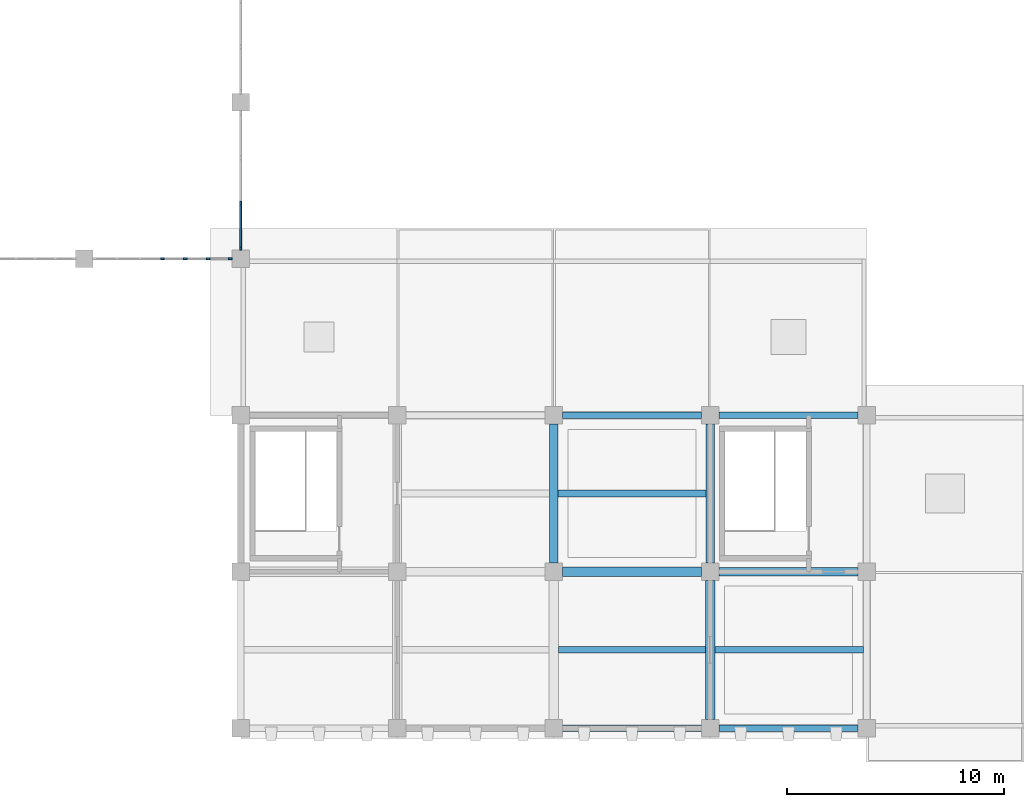
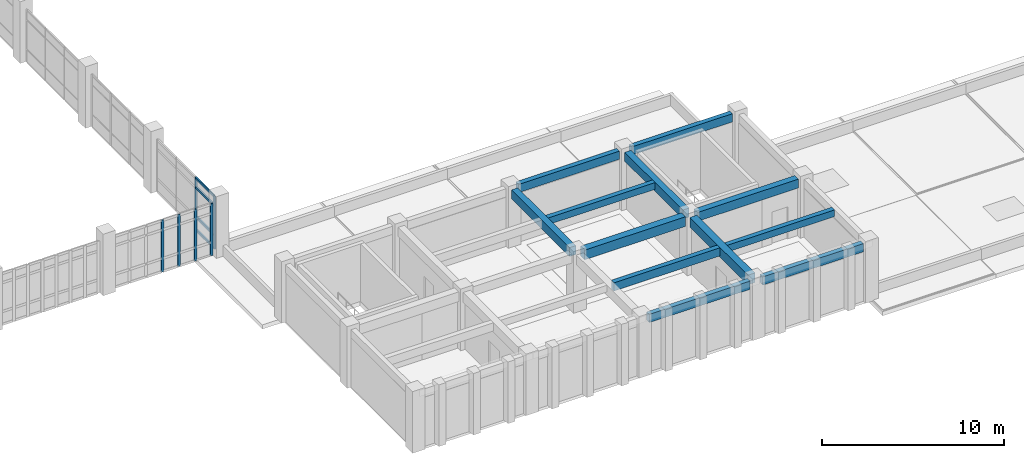
# One storey, part 4 of 62: 12 beams, 10 members, 2 elements without a shape of their own.
"""IFC4 building model written with IfcOpenShell, lengths in metres."""

import ifcopenshell
import ifcopenshell.guid

model = None  # the IFC model being written
_history = None  # IfcOwnerHistory: only IFC2X3 demands one
_inside = {}  # id of a spatial element -> (the spatial element, [elements in it])
_under = {}  # id of a project, library or spatial element -> (it, [spatial elements below it])
_declared = {}  # id of a project -> (the project, [libraries it declares])
_typed = {}  # id of a type object -> (the type object, [elements of that type])
_made_of = {}  # id of a material, layer set ... -> (it, [elements and type objects made of it])


def new_model(schema):
    """Start an empty IFC model of exactly this schema.

    Asked for "IFC4X3", IfcOpenShell would pick the latest addendum, in which some entities
    have other attributes; the version numbers below select the first issue.
    IFC2X3 requires an IfcOwnerHistory on every rooted entity: one is made here for all.
    """
    global model, _history
    if schema == "IFC4X3":
        model = ifcopenshell.file(schema_version=(4, 3, 0, 0))
    else:
        model = ifcopenshell.file(schema=schema)
    _inside.clear()
    _under.clear()
    _declared.clear()
    _typed.clear()
    _made_of.clear()
    _history = None
    if model.schema == "IFC2X3":
        org = make("IfcOrganization", Name="unknown")
        user = make(
            "IfcPersonAndOrganization",
            ThePerson=make("IfcPerson", FamilyName="unknown"),
            TheOrganization=org,
        )
        app = make(
            "IfcApplication",
            ApplicationDeveloper=org,
            Version="unknown",
            ApplicationFullName="unknown",
            ApplicationIdentifier="unknown",
        )
        _history = make(
            "IfcOwnerHistory",
            OwningUser=user,
            OwningApplication=app,
            ChangeAction="ADDED",
            CreationDate=0,
        )
    return model


def make(cls, **values):
    """One entity of the class cls with the attributes given. An attribute that is None is left unset."""
    return model.create_entity(
        cls, **{name: value for name, value in values.items() if value is not None}
    )


def rooted(cls, **values):
    """An entity with a GlobalId (a new one), such as an element, a storey or a relation."""
    return make(cls, GlobalId=ifcopenshell.guid.new(), OwnerHistory=_history, **values)


def si_unit(unit_type, name, prefix=None):
    """IfcSIUnit, for example si_unit("LENGTHUNIT", "METRE", prefix="MILLI")."""
    return make("IfcSIUnit", UnitType=unit_type, Prefix=prefix, Name=name)


def assignment(units):
    """IfcUnitAssignment: the units of a project."""
    return None if units is None else make("IfcUnitAssignment", Units=units)


def point(xyz):
    """IfcCartesianPoint."""
    return None if xyz is None else make("IfcCartesianPoint", Coordinates=xyz)


def direction(xyz):
    """IfcDirection."""
    return None if xyz is None else make("IfcDirection", DirectionRatios=xyz)


def frame(location, z_axis=None, x_axis=None):
    """IfcAxis2Placement3D, a coordinate frame: its origin and axes. An axis left out is left unset."""
    return make(
        "IfcAxis2Placement3D",
        Location=point(location),
        Axis=direction(z_axis),
        RefDirection=direction(x_axis),
    )


def frame_2d(location, x_axis=None):
    """IfcAxis2Placement2D, a coordinate frame in the plane: its origin and x axis."""
    return make(
        "IfcAxis2Placement2D", Location=point(location), RefDirection=direction(x_axis)
    )


def origin():
    """The frame at (0, 0, 0) with its axes left unset."""
    return frame((0.0, 0.0, 0.0))


def origin_2d():
    """The frame at (0, 0) in the plane with its x axis left unset."""
    return frame_2d((0.0, 0.0))


def place(relative_to, where):
    """IfcLocalPlacement: puts the frame where relative to a parent placement (None: the world)."""
    return make(
        "IfcLocalPlacement", PlacementRelTo=relative_to, RelativePlacement=where
    )


def context(
    kind, dimensions, precision=None, world=None, true_north=None, identifier=None
):
    """IfcGeometricRepresentationContext, for example the 3D "Model" context."""
    return make(
        "IfcGeometricRepresentationContext",
        ContextIdentifier=identifier,
        ContextType=kind,
        CoordinateSpaceDimension=dimensions,
        Precision=precision,
        WorldCoordinateSystem=world,
        TrueNorth=true_north,
    )


def subcontext(parent, identifier, kind, view, scale=None):
    """IfcGeometricRepresentationSubContext, for example "Body" below "Model"."""
    return make(
        "IfcGeometricRepresentationSubContext",
        ContextIdentifier=identifier,
        ContextType=kind,
        ParentContext=parent,
        TargetScale=scale,
        TargetView=view,
    )


def project(units=None, contexts=None):
    """IfcProject with its units and contexts."""
    return rooted(
        "IfcProject",
        Name="project",
        RepresentationContexts=contexts,
        UnitsInContext=assignment(units),
    )


def spatial(cls, under=None, at=None, **own):
    """A site, building, storey or space (cls), placed at a placement, below another one or the project."""
    s = rooted(cls, ObjectPlacement=at, **own)
    if under is not None:
        _under.setdefault(under.id(), (under, []))[1].append(s)
    return s


def profile(cls, at=None, kind="AREA", **sizes):
    """A parametric profile (cls). Its sizes go by their IFC names, for example OverallWidth=200.0."""
    return make(cls, ProfileType=kind, Position=at, **sizes)


def rectangle(**sizes):
    """IfcRectangleProfileDef."""
    return profile("IfcRectangleProfileDef", **sizes)


def extrude(swept, where, along, depth):
    """IfcExtrudedAreaSolid: the profile swept, set in the frame where, extruded along a direction by depth."""
    return make(
        "IfcExtrudedAreaSolid",
        SweptArea=swept,
        Position=where,
        ExtrudedDirection=direction(along),
        Depth=depth,
    )


def shape(context_of_items, identifier, shape_type, items):
    """IfcShapeRepresentation: the items that make up one representation, for example the "Body"."""
    return make(
        "IfcShapeRepresentation",
        ContextOfItems=context_of_items,
        RepresentationIdentifier=identifier,
        RepresentationType=shape_type,
        Items=items,
    )


def material(Name=None, Category=None):
    """IfcMaterial."""
    return make("IfcMaterial", Name=Name, Category=Category)


def layer(
    of_material, thickness, ventilated=None, Name=None, Category=None, Priority=None
):
    """IfcMaterialLayer: one layer of a wall or slab, of a material (None: an air gap)."""
    return make(
        "IfcMaterialLayer",
        Material=of_material,
        LayerThickness=thickness,
        IsVentilated=ventilated,
        Name=Name,
        Category=Category,
        Priority=Priority,
    )


def layer_set(layers, Name=None):
    """IfcMaterialLayerSet."""
    return make("IfcMaterialLayerSet", MaterialLayers=layers, LayerSetName=Name)


def material_profile(
    of_material, cross_section, Name=None, Category=None, Priority=None
):
    """IfcMaterialProfile: a cross section and its material."""
    return make(
        "IfcMaterialProfile",
        Name=Name,
        Material=of_material,
        Profile=cross_section,
        Priority=Priority,
        Category=Category,
    )


def profile_set(profiles, Name=None, composite=None):
    """IfcMaterialProfileSet."""
    return make(
        "IfcMaterialProfileSet",
        Name=Name,
        MaterialProfiles=profiles,
        CompositeProfile=composite,
    )


def made_of(thing, what):
    """Note that an element or type object is made of a material, layer set ...; save() writes the relation."""
    if what is not None:
        _made_of.setdefault(what.id(), (what, []))[1].append(thing)
    return thing


def type_object(cls, material=None, **own):
    """A type object (cls), such as IfcWallType, which elements share."""
    return made_of(rooted(cls, **own), material)


def element(
    cls,
    number,
    at=None,
    inside=None,
    cuts=None,
    type_object=None,
    material=None,
    context=None,
    identifier="Body",
    shape_type=None,
    held_by="IfcProductDefinitionShape",
    body=None,
    shapes=None,
    **own,
):
    """One element of the class cls, such as IfcWall. Its Tag is "e" and its number.

    at: its placement. inside: the storey or other place that contains it. cuts: it is an
    opening in that element (IfcRelVoidsElement). A single representation is given by context,
    identifier, shape_type and body (its items); several are given by shapes. held_by: the class
    of the entity that holds the representations. save() writes the other relations.
    """
    e = rooted(cls, Tag="e%d" % number, ObjectPlacement=at, **own)
    if body is not None:
        shapes = [shape(context, identifier, shape_type, body)]
    if shapes is not None:
        e.Representation = make(held_by, Representations=shapes)
    if inside is not None:
        _inside.setdefault(inside.id(), (inside, []))[1].append(e)
    if cuts is not None:
        rooted(
            "IfcRelVoidsElement", RelatingBuildingElement=cuts, RelatedOpeningElement=e
        )
    if type_object is not None:
        _typed.setdefault(type_object.id(), (type_object, []))[1].append(e)
    return made_of(e, material)


def aggregate(whole, parts):
    """IfcRelAggregates: a whole, such as a stair, and the parts it consists of."""
    return rooted("IfcRelAggregates", RelatingObject=whole, RelatedObjects=parts)


def save(model, path):
    """Write the relations noted so far, then the file.

    IfcRelAggregates (storeys below a building ...), IfcRelContainedInSpatialStructure (elements
    in a storey), IfcRelDefinesByType, IfcRelAssociatesMaterial and IfcRelDeclares: one each for
    every whole, place, type object, material and project.
    """
    for whole, parts in _under.values():
        aggregate(whole, parts)
    for where, things in _inside.values():
        rooted(
            "IfcRelContainedInSpatialStructure",
            RelatedElements=things,
            RelatingStructure=where,
        )
    for kind, things in _typed.values():
        rooted("IfcRelDefinesByType", RelatedObjects=things, RelatingType=kind)
    for what, things in _made_of.values():
        rooted("IfcRelAssociatesMaterial", RelatedObjects=things, RelatingMaterial=what)
    for by, libraries in _declared.values():
        rooted("IfcRelDeclares", RelatingContext=by, RelatedDefinitions=libraries)
    model.write(path)


model = new_model("IFC4")

# Units and contexts
model_context = context("Model", 3, precision=1e-05, world=origin(), true_north=direction((0.0, 1.0)))
body_context = subcontext(model_context, "Body", "Model", "MODEL_VIEW")
ifc_project = project(units=[si_unit("LENGTHUNIT", "METRE"), si_unit("AREAUNIT", "SQUARE_METRE"), si_unit("VOLUMEUNIT", "CUBIC_METRE"), si_unit("PLANEANGLEUNIT", "RADIAN"), si_unit("MASSUNIT", "GRAM", prefix="KILO")], contexts=[model_context])

# Site, building, storey
site_placement = place(None, origin())
site = spatial("IfcSite", under=ifc_project, at=site_placement, CompositionType="ELEMENT")
building_placement = place(site_placement, origin())
building = spatial("IfcBuilding", under=site, at=building_placement, Name="Kavelor Marine Aquarium", CompositionType="ELEMENT")
storey_placement = place(building_placement, frame((0.0, 0.0, 13.5)))
storey = spatial("IfcBuildingStorey", under=building, at=storey_placement, Name="L03", CompositionType="ELEMENT", Elevation=13.5)

# Beams
ifc_material_1 = material(Name="Concrete C40/50", Category="concrete")
ifc_material_profile_1 = material_profile(ifc_material_1, rectangle(XDim=0.449951171875, YDim=0.64990234375, at=origin_2d()), Name="RC-BM 450x650")
ifc_profile_set_1 = profile_set([ifc_material_profile_1], Name="Concrete C40/50")
beam_type_1 = type_object("IfcBeamType", Name="BM-B3", PredefinedType="BEAM", material=ifc_profile_set_1)
beam_1_placement = place(storey_placement, frame((54.0, 10.0, 3.534912109375), z_axis=(1.0, 0.0, 0.0), x_axis=(0.0, 1.0, 0.0)))
element("IfcBeam", 1, at=beam_1_placement, inside=storey, type_object=beam_type_1, Name="bm:x:L03:L04:07_01", PredefinedType="BEAM", context=body_context, shape_type="SweptSolid", body=[
    extrude(rectangle(XDim=0.449951171875, YDim=0.64990234375, at=origin_2d()), origin(), (0.0, 0.0, 1.0), 6.39990234375),
])
beam_2_placement = place(storey_placement, frame((60.800048828125, 3.199951171875, 3.534912109375), z_axis=(0.0, 1.0, 0.0), x_axis=(-1.0, 0.0, 0.0)))
element("IfcBeam", 2, at=beam_2_placement, inside=storey, type_object=beam_type_1, Name="bm:y:L03:L04:08_00", PredefinedType="BEAM", context=body_context, shape_type="SweptSolid", body=[
    extrude(rectangle(XDim=0.449951171875, YDim=0.64990234375, at=origin_2d()), origin(), (0.0, 0.0, 1.0), 6.400146484375),
])
ifc_material_2 = material(Name="Concrete C40/50", Category="concrete")
ifc_material_profile_2 = material_profile(ifc_material_2, rectangle(XDim=0.39990234375, YDim=0.60009765625, at=origin_2d()), Name="RC-BM 400x600")
ifc_profile_set_2 = profile_set([ifc_material_profile_2], Name="Concrete C40/50")
beam_type_2 = type_object("IfcBeamType", Name="BM-B4", PredefinedType="BEAM", material=ifc_profile_set_2)
for number, where, z_axis, x_axis, name in (
    (3, (61.199951171875, 10.0, 3.56005859375), (1.0, 0.0, 0.0), (0.0, 1.0, 0.0), "bm:x:L03:L04:08_01"),
    (4, (53.60009765625, 10.39990234375, 3.56005859375), (0.0, 1.0, 0.0), (-1.0, 0.0, 0.0), "bm:y:L03:L04:07_01"),
    (5, (60.800048828125, 10.39990234375, 3.56005859375), (0.0, 1.0, 0.0), (-1.0, 0.0, 0.0), "bm:y:L03:L04:08_01"),
):
    element("IfcBeam", number, at=place(storey_placement, frame(where, z_axis=z_axis, x_axis=x_axis)), inside=storey, type_object=beam_type_2, Name=name, PredefinedType="BEAM", context=body_context, shape_type="SweptSolid", body=[
        extrude(rectangle(XDim=0.39990234375, YDim=0.60009765625, at=origin_2d()), origin(), (0.0, 0.0, 1.0), 6.400146484375),
    ])
ifc_material_3 = material(Name="Concrete C40/50", Category="concrete")
ifc_material_profile_3 = material_profile(ifc_material_3, rectangle(XDim=0.300048828125, YDim=0.449951171875, at=origin_2d()), Name="RC-JS 300x450")
ifc_profile_set_3 = profile_set([ifc_material_profile_3], Name="Concrete C40/50")
beam_type_3 = type_object("IfcBeamType", Name="BM-JS1", PredefinedType="JOIST", material=ifc_profile_set_3)
beam_3_placement = place(storey_placement, frame((53.800048828125, 13.60009765625, 3.635009765625), z_axis=(1.0, 0.0, 0.0), x_axis=(0.0, 1.0, 0.0)))
element("IfcBeam", 6, at=beam_3_placement, inside=storey, type_object=beam_type_3, Name="js:L03:L04:07_01", PredefinedType="JOIST", context=body_context, shape_type="SweptSolid", body=[
    extrude(rectangle(XDim=0.300048828125, YDim=0.449951171875, at=origin_2d()), origin(), (0.0, 0.0, 1.0), 6.800048828125),
])
beam_4_placement = place(storey_placement, frame((61.02490234375, 6.39990234375, 3.635009765625), z_axis=(1.0, 0.0, 0.0), x_axis=(0.0, 1.0, 0.0)))
element("IfcBeam", 7, at=beam_4_placement, inside=storey, type_object=beam_type_3, Name="js:L03:L04:08_00", PredefinedType="JOIST", context=body_context, shape_type="SweptSolid", body=[
    extrude(rectangle(XDim=0.300048828125, YDim=0.449951171875, at=origin_2d()), origin(), (0.0, 0.0, 1.0), 6.8251953125),
])
ifc_material_4 = material(Name="Concrete C40/50", Category="concrete")
ifc_material_profile_4 = material_profile(ifc_material_4, rectangle(XDim=0.300048828125, YDim=0.550048828125, at=origin_2d()), Name="RC-JS 300x550")
ifc_profile_set_4 = profile_set([ifc_material_profile_4], Name="Concrete C40/50")
beam_type_4 = type_object("IfcBeamType", Name="BM-JS2", PredefinedType="JOIST", material=ifc_profile_set_4)
beam_5_placement = place(storey_placement, frame((53.824951171875, 6.39990234375, 3.5849609375), z_axis=(1.0, 0.0, 0.0), x_axis=(0.0, 1.0, 0.0)))
element("IfcBeam", 8, at=beam_5_placement, inside=storey, type_object=beam_type_4, Name="js:L03:L04:07_00", PredefinedType="JOIST", context=body_context, shape_type="SweptSolid", body=[
    extrude(rectangle(XDim=0.300048828125, YDim=0.550048828125, at=origin_2d()), origin(), (0.0, 0.0, 1.0), 6.75),
])
ifc_material_5 = material(Name="Concrete C40/50", Category="concrete")
ifc_material_profile_5 = material_profile(ifc_material_5, rectangle(XDim=0.300048828125, YDim=0.550048828125, at=origin_2d()), Name="RC-SP 300x550")
ifc_profile_set_5 = profile_set([ifc_material_profile_5], Name="Concrete C40/50")
beam_type_5 = type_object("IfcBeamType", Name="BM-SP2", PredefinedType="SPANDREL", material=ifc_profile_set_5)
for number, where, z_axis, x_axis, name in (
    (9, (54.0, 2.800048828125, 3.5849609375), (1.0, 0.0, 0.0), (0.0, 1.0, 0.0), "bm:x:L03:L04:07_00"),
    (10, (54.0, 17.199951171875, 3.5849609375), (1.0, 0.0, 0.0), (0.0, 1.0, 0.0), "bm:x:L03:L04:07_02"),
):
    element("IfcBeam", number, at=place(storey_placement, frame(where, z_axis=z_axis, x_axis=x_axis)), inside=storey, type_object=beam_type_5, Name=name, PredefinedType="SPANDREL", context=body_context, shape_type="SweptSolid", body=[
        extrude(rectangle(XDim=0.300048828125, YDim=0.550048828125, at=origin_2d()), origin(), (0.0, 0.0, 1.0), 6.39990234375),
    ])
for number, where, z_axis, x_axis, name in (
    (11, (61.199951171875, 2.800048828125, 3.5849609375), (1.0, 0.0, 0.0), (0.0, 1.0, 0.0), "bm:x:L03:L04:08_00"),
    (12, (61.199951171875, 17.199951171875, 3.5849609375), (1.0, 0.0, 0.0), (0.0, 1.0, 0.0), "bm:x:L03:L04:08_02"),
):
    element("IfcBeam", number, at=place(storey_placement, frame(where, z_axis=z_axis, x_axis=x_axis)), inside=storey, type_object=beam_type_5, Name=name, PredefinedType="SPANDREL", context=body_context, shape_type="SweptSolid", body=[
        extrude(rectangle(XDim=0.300048828125, YDim=0.550048828125, at=origin_2d()), origin(), (0.0, 0.0, 1.0), 6.400146484375),
    ])

# Curtain wall, members
ifc_material_6 = material(Name="Thermally Broken Aluminium and Low-E Glass", Category="aluminium")
ifc_layer_1 = layer(ifc_material_6, 0.172119140625)
ifc_layer_set_1 = layer_set([ifc_layer_1], Name="CW-SYS4")
curtain_wall_type_1 = type_object("IfcCurtainWallType", Name="CW-SYS4", PredefinedType="USERDEFINED", material=ifc_layer_set_1)
curtain_wall_1_placement = place(storey_placement, origin())
curtain_wall_1 = element("IfcCurtainWall", 13, at=curtain_wall_1_placement, inside=storey, type_object=curtain_wall_type_1, Name="cw:x:L03:04_03", ObjectType="Curtain Wall", PredefinedType="USERDEFINED")
ifc_material_7 = material(Name="Anodised Aluminium Alloy 6063-T6", Category="aluminium")
ifc_material_profile_6 = material_profile(ifc_material_7, rectangle(XDim=0.074951171875, YDim=0.179931640625, at=origin_2d()), Name="CW-MUL 75x180")
ifc_profile_set_6 = profile_set([ifc_material_profile_6], Name="Anodised Aluminium Alloy 6063-T6")
member_type_1 = type_object("IfcMemberType", Name="CWM-1", PredefinedType="MULLION", material=ifc_profile_set_6)
member_1_placement = place(storey_placement, frame((38.717529296875, 24.39990234375, 0.0), z_axis=(0.0, 0.0, 1.0), x_axis=(0.0, -1.0, 0.0)))
member_1 = element("IfcMember", 14, at=member_1_placement, type_object=member_type_1, Name="CW04 mullion 1", PredefinedType="MULLION", context=body_context, shape_type="SweptSolid", body=[
    extrude(rectangle(XDim=0.074951171875, YDim=0.179931640625, at=origin_2d()), origin(), (0.0, 0.0, 1.0), 3.47998046875),
])
member_2_placement = place(storey_placement, frame((37.703369140625, 24.39990234375, 0.0), z_axis=(0.0, 0.0, 1.0), x_axis=(0.0, -1.0, 0.0)))
member_2 = element("IfcMember", 15, at=member_2_placement, type_object=member_type_1, Name="CW04 mullion 2", PredefinedType="MULLION", context=body_context, shape_type="SweptSolid", body=[
    extrude(rectangle(XDim=0.074951171875, YDim=0.179931640625, at=origin_2d()), origin(), (0.0, 0.0, 1.0), 3.47998046875),
])
member_3_placement = place(storey_placement, frame((36.651611328125, 24.39990234375, 0.0), z_axis=(0.0, 0.0, 1.0), x_axis=(0.0, -1.0, 0.0)))
member_3 = element("IfcMember", 16, at=member_3_placement, type_object=member_type_1, Name="CW04 mullion 3", PredefinedType="MULLION", context=body_context, shape_type="SweptSolid", body=[
    extrude(rectangle(XDim=0.074951171875, YDim=0.179931640625, at=origin_2d()), origin(), (0.0, 0.0, 1.0), 3.47998046875),
])
member_4_placement = place(storey_placement, frame((35.60009765625, 24.39990234375, 0.0), z_axis=(0.0, 0.0, 1.0), x_axis=(0.0, -1.0, 0.0)))
member_4 = element("IfcMember", 17, at=member_4_placement, type_object=member_type_1, Name="CW04 mullion 4", PredefinedType="MULLION", context=body_context, shape_type="SweptSolid", body=[
    extrude(rectangle(XDim=0.074951171875, YDim=0.179931640625, at=origin_2d()), origin(), (0.0, 0.0, 1.0), 3.47998046875),
])
aggregate(curtain_wall_1, [member_1, member_2, member_3, member_4])

ifc_material_8 = material(Name="Thermally Broken Aluminium and Low-E Glass", Category="aluminium")
ifc_layer_2 = layer(ifc_material_8, 0.27587890625)
ifc_layer_set_2 = layer_set([ifc_layer_2], Name="CW-SYS17")
curtain_wall_type_2 = type_object("IfcCurtainWallType", Name="CW-SYS17", PredefinedType="USERDEFINED", material=ifc_layer_set_2)
curtain_wall_2_placement = place(storey_placement, origin())
curtain_wall_2 = element("IfcCurtainWall", 18, at=curtain_wall_2_placement, inside=storey, type_object=curtain_wall_type_2, Name="cw:y:L03:05_03", ObjectType="Curtain Wall", PredefinedType="USERDEFINED")
ifc_material_9 = material(Name="Anodised Aluminium Alloy 6063-T6", Category="aluminium")
ifc_material_profile_7 = material_profile(ifc_material_9, rectangle(XDim=0.080078125, YDim=0.18505859375, at=origin_2d()), Name="CW-MUL 80x185")
ifc_profile_set_7 = profile_set([ifc_material_profile_7], Name="Anodised Aluminium Alloy 6063-T6")
member_type_2 = type_object("IfcMemberType", Name="CWM-2", PredefinedType="MULLION", material=ifc_profile_set_7)
member_5_placement = place(storey_placement, frame((39.199951171875, 24.87744140625, 0.0), z_axis=(0.0, 0.0, 1.0), x_axis=(-1.0, 0.0, 0.0)))
member_5 = element("IfcMember", 19, at=member_5_placement, type_object=member_type_2, Name="CW17 mullion 1", PredefinedType="MULLION", context=body_context, shape_type="SweptSolid", body=[
    extrude(rectangle(XDim=0.080078125, YDim=0.18505859375, at=origin_2d()), origin(), (0.0, 0.0, 1.0), 3.530029296875),
])
member_6_placement = place(storey_placement, frame((39.199951171875, 26.9482421875, 0.0), z_axis=(0.0, 0.0, 1.0), x_axis=(-1.0, 0.0, 0.0)))
member_6 = element("IfcMember", 20, at=member_6_placement, type_object=member_type_2, Name="CW17 mullion 2", PredefinedType="MULLION", context=body_context, shape_type="SweptSolid", body=[
    extrude(rectangle(XDim=0.080078125, YDim=0.18505859375, at=origin_2d()), origin(), (0.0, 0.0, 1.0), 3.530029296875),
])
ifc_material_10 = material(Name="Anodised Aluminium Alloy 6063-T6", Category="aluminium")
ifc_material_profile_8 = material_profile(ifc_material_10, rectangle(XDim=0.0849609375, YDim=0.159912109375, at=origin_2d()), Name="CW-TRN 85x160")
ifc_profile_set_8 = profile_set([ifc_material_profile_8], Name="Anodised Aluminium Alloy 6063-T6")
member_type_3 = type_object("IfcMemberType", Name="CWT-3", PredefinedType="USERDEFINED", material=ifc_profile_set_8)
member_7_placement = place(storey_placement, frame((39.199951171875, 24.909912109375, 0.030029296875), z_axis=(0.0, 1.0, 0.0), x_axis=(-1.0, 0.0, 0.0)))
member_7 = element("IfcMember", 21, at=member_7_placement, type_object=member_type_3, Name="CW17 transom 1.1", ObjectType="TRANSOM", PredefinedType="USERDEFINED", context=body_context, shape_type="SweptSolid", body=[
    extrude(rectangle(XDim=0.0849609375, YDim=0.159912109375, at=origin_2d()), origin(), (0.0, 0.0, 1.0), 2.005859375),
])
member_8_placement = place(storey_placement, frame((39.199951171875, 24.909912109375, 0.89990234375), z_axis=(0.0, 1.0, 0.0), x_axis=(-1.0, 0.0, 0.0)))
member_8 = element("IfcMember", 22, at=member_8_placement, type_object=member_type_3, Name="CW17 transom 1.2", ObjectType="TRANSOM", PredefinedType="USERDEFINED", context=body_context, shape_type="SweptSolid", body=[
    extrude(rectangle(XDim=0.0849609375, YDim=0.159912109375, at=origin_2d()), origin(), (0.0, 0.0, 1.0), 2.005859375),
])
member_9_placement = place(storey_placement, frame((39.199951171875, 24.909912109375, 2.8798828125), z_axis=(0.0, 1.0, 0.0), x_axis=(-1.0, 0.0, 0.0)))
member_9 = element("IfcMember", 23, at=member_9_placement, type_object=member_type_3, Name="CW17 transom 1.3", ObjectType="TRANSOM", PredefinedType="USERDEFINED", context=body_context, shape_type="SweptSolid", body=[
    extrude(rectangle(XDim=0.0849609375, YDim=0.159912109375, at=origin_2d()), origin(), (0.0, 0.0, 1.0), 2.005859375),
])
member_10_placement = place(storey_placement, frame((39.199951171875, 24.909912109375, 3.5), z_axis=(0.0, 1.0, 0.0), x_axis=(-1.0, 0.0, 0.0)))
member_10 = element("IfcMember", 24, at=member_10_placement, type_object=member_type_3, Name="CW17 transom 1.4", ObjectType="TRANSOM", PredefinedType="USERDEFINED", context=body_context, shape_type="SweptSolid", body=[
    extrude(rectangle(XDim=0.0849609375, YDim=0.159912109375, at=origin_2d()), origin(), (0.0, 0.0, 1.0), 2.005859375),
])
aggregate(curtain_wall_2, [member_5, member_6, member_7, member_8, member_9, member_10])

save(model, "model.ifc")
